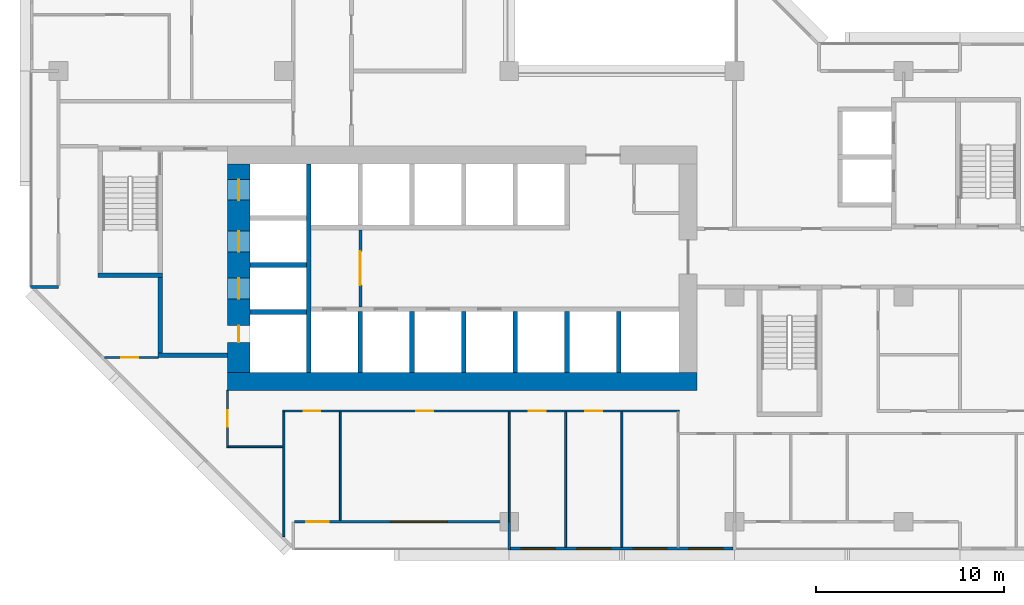
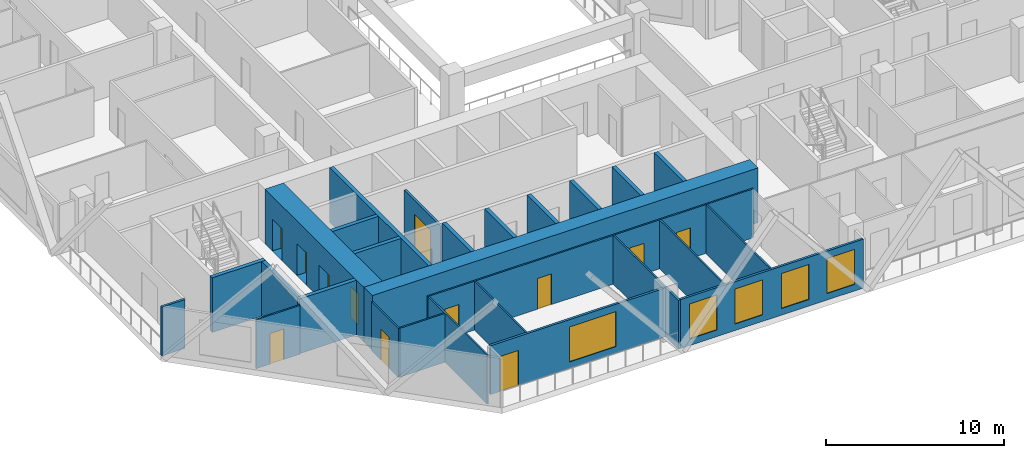
# One storey, part 4 of 16: 28 walls, 12 doors, 5 windows, 17 openings.
"""IFC4 building model written with IfcOpenShell, lengths in metres."""

from ifc_helpers import new_model, si_unit, direction, frame, frame_2d, origin, place, context, subcontext, project, spatial, rectangle, extrude, material, layer, layer_set, type_object, element, fill, save


model = new_model("IFC4")

# Units and contexts
model_context = context("Model", 3, precision=1e-05, world=origin(), true_north=direction((0.0, 1.0)))
body_context = subcontext(model_context, "Body", "Model", "MODEL_VIEW")
ifc_project = project(units=[si_unit("LENGTHUNIT", "METRE"), si_unit("AREAUNIT", "SQUARE_METRE"), si_unit("VOLUMEUNIT", "CUBIC_METRE"), si_unit("PLANEANGLEUNIT", "RADIAN"), si_unit("MASSUNIT", "GRAM", prefix="KILO")], contexts=[model_context])

# Site, building, storey
site_placement = place(None, origin())
site = spatial("IfcSite", under=ifc_project, at=site_placement, CompositionType="ELEMENT")
building_placement = place(site_placement, origin())
building = spatial("IfcBuilding", under=site, at=building_placement, Name="Chenar Terraces", CompositionType="ELEMENT")
storey_placement = place(building_placement, frame((0.0, 0.0, 99.39990234375)))
storey = spatial("IfcBuildingStorey", under=building, at=storey_placement, Name="L22", CompositionType="ELEMENT", Elevation=99.39990234375)

# Wall, opening, door
ifc_material_1 = material(Name="Gypsum board on steel studs", Category="steel")
ifc_layer_1 = layer(ifc_material_1, 0.14990234375)
ifc_layer_set_1 = layer_set([ifc_layer_1], Name="Gypsum board on steel studs")
wall_type_1 = type_object("IfcWallType", Name="Core partition 150 gypsum board", PredefinedType="PARTITIONING", material=ifc_layer_set_1)
wall_1_placement = place(storey_placement, frame((16.074951171875, 11.449951171875, 0.0), z_axis=(0.0, 0.0, 1.0), x_axis=(0.0, 1.0, 0.0)))
wall_1 = element("IfcWall", 1, at=wall_1_placement, inside=storey, type_object=wall_type_1, Name="Core partition CP1 lift lobby smoke stop", PredefinedType="PARTITIONING", context=body_context, shape_type="SweptSolid", body=[
    extrude(rectangle(XDim=4.10009765625, YDim=0.14990234375, at=frame_2d((2.050048828125, 0.0))), origin(), (0.0, 0.0, 1.0), 3.35009765625),
])
opening_1_placement = place(wall_1_placement, frame((1.14990234375, 0.0, 0.0)))
opening_1 = element("IfcOpeningElement", 2, at=opening_1_placement, cuts=wall_1, Name="Opening DL22-C12", PredefinedType="OPENING", context=body_context, shape_type="SweptSolid", body=[
    extrude(rectangle(XDim=1.800048828125, YDim=2.39990234375, at=frame_2d((0.89990234375, 1.199951171875))), frame((0.0, 0.0849609375, 0.0), z_axis=(0.0, -1.0, 0.0), x_axis=(1.0, 0.0, 0.0)), (0.0, 0.0, 1.0), 0.169921875),
])
ifc_material_2 = material(Name="Steel-framed fire-resisting door leaf", Category="steel")
door_type_1 = type_object("IfcDoorType", Name="Core entrance double fire door FD60 1800 x 2400", OperationType="DOUBLE_DOOR_SINGLE_SWING", PredefinedType="DOOR", material=ifc_material_2)
door_1_placement = place(opening_1_placement, origin())
door_1 = element("IfcDoor", 3, at=door_1_placement, inside=storey, type_object=door_type_1, Name="Core door DL22-C12", OperationType="DOUBLE_DOOR_SINGLE_SWING", OverallHeight=2.39990234375, OverallWidth=1.800048828125, PredefinedType="DOOR", context=body_context, shape_type="SweptSolid", body=[
    extrude(rectangle(XDim=1.800048828125, YDim=2.39990234375, at=frame_2d((0.89990234375, 1.199951171875))), frame((0.0, 0.02490234375, 0.0), z_axis=(0.0, -1.0, 0.0), x_axis=(1.0, 0.0, 0.0)), (0.0, 0.0, 1.0), 0.050048828125),
])
fill(opening_1, door_1)

# Wall, openings, doors
ifc_material_3 = material(Name="Concrete C70/85", Category="concrete")
ifc_layer_2 = layer(ifc_material_3, 1.199951171875)
ifc_layer_set_2 = layer_set([ifc_layer_2], Name="Concrete C70/85")
wall_type_2 = type_object("IfcWallType", Name="Core wall 1200 Concrete C70/85", PredefinedType="SHEAR", material=ifc_layer_set_2)
wall_2_placement = place(storey_placement, frame((9.60009765625, 7.949951171875, 0.0), z_axis=(0.0, 0.0, 1.0), x_axis=(0.0, 1.0, 0.0)))
wall_2 = element("IfcWall", 4, at=wall_2_placement, inside=storey, type_object=wall_type_2, Name="Core wall W L22", PredefinedType="SHEAR", context=body_context, shape_type="SweptSolid", body=[
    extrude(rectangle(XDim=11.10009765625, YDim=1.199951171875, at=frame_2d((5.550048828125, 0.0))), origin(), (0.0, 0.0, 1.0), 3.75),
])
opening_2_placement = place(wall_2_placement, frame((3.925048828125, 0.0, 0.0)))
opening_2 = element("IfcOpeningElement", 5, at=opening_2_placement, cuts=wall_2, Name="Opening DL22-LD5", PredefinedType="OPENING", context=body_context, shape_type="SweptSolid", body=[
    extrude(rectangle(XDim=1.10009765625, YDim=2.199951171875, at=frame_2d((0.550048828125, 1.10009765625))), frame((0.0, 0.60986328125, 0.0), z_axis=(0.0, -1.0, 0.0), x_axis=(1.0, 0.0, 0.0)), (0.0, 0.0, 1.0), 1.219970703125),
])
opening_3_placement = place(wall_2_placement, frame((6.425048828125, 0.0, 0.0)))
opening_3 = element("IfcOpeningElement", 6, at=opening_3_placement, cuts=wall_2, Name="Opening DL22-LD6", PredefinedType="OPENING", context=body_context, shape_type="SweptSolid", body=[
    extrude(rectangle(XDim=1.10009765625, YDim=2.199951171875, at=frame_2d((0.550048828125, 1.10009765625))), frame((0.0, 0.60986328125, 0.0), z_axis=(0.0, -1.0, 0.0), x_axis=(1.0, 0.0, 0.0)), (0.0, 0.0, 1.0), 1.219970703125),
])
opening_4_placement = place(wall_2_placement, frame((9.175048828125, 0.0, 0.0)))
opening_4 = element("IfcOpeningElement", 7, at=opening_4_placement, cuts=wall_2, Name="Opening DL22-LD7", PredefinedType="OPENING", context=body_context, shape_type="SweptSolid", body=[
    extrude(rectangle(XDim=1.10009765625, YDim=2.199951171875, at=frame_2d((0.550048828125, 1.10009765625))), frame((0.0, 0.60986328125, 0.0), z_axis=(0.0, -1.0, 0.0), x_axis=(1.0, 0.0, 0.0)), (0.0, 0.0, 1.0), 1.219970703125),
])
opening_5_placement = place(wall_2_placement, frame((1.60009765625, 0.0, 0.0)))
opening_5 = element("IfcOpeningElement", 8, at=opening_5_placement, cuts=wall_2, Name="Opening DL22-C4", PredefinedType="OPENING", context=body_context, shape_type="SweptSolid", body=[
    extrude(rectangle(XDim=0.89990234375, YDim=2.10009765625, at=frame_2d((0.449951171875, 1.050048828125))), frame((0.0, 0.60986328125, 0.0), z_axis=(0.0, -1.0, 0.0), x_axis=(1.0, 0.0, 0.0)), (0.0, 0.0, 1.0), 1.219970703125),
])
ifc_material_4 = material(Name="Stainless steel", Category="steel")
door_type_2 = type_object("IfcDoorType", Name="Lift landing door 1100 x 2200 sliding", OperationType="DOUBLE_DOOR_SLIDING", PredefinedType="DOOR", material=ifc_material_4)
door_2_placement = place(opening_2_placement, origin())
door_2 = element("IfcDoor", 9, at=door_2_placement, inside=storey, type_object=door_type_2, Name="Landing door S1", OperationType="DOUBLE_DOOR_SLIDING", OverallHeight=2.199951171875, OverallWidth=1.10009765625, PredefinedType="DOOR", context=body_context, shape_type="SweptSolid", body=[
    extrude(rectangle(XDim=1.10009765625, YDim=2.199951171875, at=frame_2d((0.550048828125, 1.10009765625))), frame((0.0, 0.02490234375, 0.0), z_axis=(0.0, -1.0, 0.0), x_axis=(1.0, 0.0, 0.0)), (0.0, 0.0, 1.0), 0.050048828125),
])
fill(opening_2, door_2)
door_3_placement = place(opening_3_placement, origin())
door_3 = element("IfcDoor", 10, at=door_3_placement, inside=storey, type_object=door_type_2, Name="Landing door F1", OperationType="DOUBLE_DOOR_SLIDING", OverallHeight=2.199951171875, OverallWidth=1.10009765625, PredefinedType="DOOR", context=body_context, shape_type="SweptSolid", body=[
    extrude(rectangle(XDim=1.10009765625, YDim=2.199951171875, at=frame_2d((0.550048828125, 1.10009765625))), frame((0.0, 0.02490234375, 0.0), z_axis=(0.0, -1.0, 0.0), x_axis=(1.0, 0.0, 0.0)), (0.0, 0.0, 1.0), 0.050048828125),
])
fill(opening_3, door_3)
door_4_placement = place(opening_4_placement, origin())
door_4 = element("IfcDoor", 11, at=door_4_placement, inside=storey, type_object=door_type_2, Name="Landing door F2", OperationType="DOUBLE_DOOR_SLIDING", OverallHeight=2.199951171875, OverallWidth=1.10009765625, PredefinedType="DOOR", context=body_context, shape_type="SweptSolid", body=[
    extrude(rectangle(XDim=1.10009765625, YDim=2.199951171875, at=frame_2d((0.550048828125, 1.10009765625))), frame((0.0, 0.02490234375, 0.0), z_axis=(0.0, -1.0, 0.0), x_axis=(1.0, 0.0, 0.0)), (0.0, 0.0, 1.0), 0.050048828125),
])
fill(opening_4, door_4)
ifc_material_5 = material(Name="Steel-framed fire-resisting door leaf", Category="steel")
door_type_3 = type_object("IfcDoorType", Name="Riser fire door FD60 900 x 2100", OperationType="SINGLE_SWING_LEFT", PredefinedType="DOOR", material=ifc_material_5)
door_5_placement = place(opening_5_placement, frame((0.89990234375, 0.0, 0.0), z_axis=(0.0, 0.0, 1.0), x_axis=(-1.0, 0.0, 0.0)))
door_5 = element("IfcDoor", 12, at=door_5_placement, inside=storey, type_object=door_type_3, Name="Riser door DL22-C4", OperationType="SINGLE_SWING_LEFT", OverallHeight=2.10009765625, OverallWidth=0.89990234375, PredefinedType="DOOR", context=body_context, shape_type="SweptSolid", body=[
    extrude(rectangle(XDim=0.89990234375, YDim=2.10009765625, at=frame_2d((0.449951171875, 1.050048828125))), frame((0.0, 0.02490234375, 0.0), z_axis=(0.0, -1.0, 0.0), x_axis=(1.0, 0.0, 0.0)), (0.0, 0.0, 1.0), 0.050048828125),
])
fill(opening_5, door_5)

# Walls
ifc_material_6 = material(Name="Concrete C70/85", Category="concrete")
ifc_layer_3 = layer(ifc_material_6, 0.25)
ifc_layer_set_3 = layer_set([ifc_layer_3], Name="Concrete C70/85")
wall_type_3 = type_object("IfcWallType", Name="Core wall 250 Concrete C70/85", PredefinedType="SHEAR", material=ifc_layer_set_3)
wall_3_placement = place(storey_placement, frame((13.324951171875, 7.949951171875, 0.0), z_axis=(0.0, 0.0, 1.0), x_axis=(0.0, 1.0, 0.0)))
element("IfcWall", 13, at=wall_3_placement, inside=storey, type_object=wall_type_3, Name="Core wall WI L22", PredefinedType="SHEAR", context=body_context, shape_type="SweptSolid", body=[
    extrude(rectangle(XDim=11.10009765625, YDim=0.25, at=frame_2d((5.550048828125, 0.0))), origin(), (0.0, 0.0, 1.0), 3.75),
])
for number, where, z_axis, x_axis, name in (
    (14, (10.199951171875, 11.175048828125, 0.0), (0.0, 0.0, 1.0), (1.0, 0.0, 0.0), "Core wall HW0 L22"),
    (15, (10.199951171875, 13.675048828125, 0.0), (0.0, 0.0, 1.0), (1.0, 0.0, 0.0), "Core wall HW1 L22"),
):
    element("IfcWall", number, at=place(storey_placement, frame(where, z_axis=z_axis, x_axis=x_axis)), inside=storey, type_object=wall_type_3, Name=name, PredefinedType="SHEAR", context=body_context, shape_type="SweptSolid", body=[
        extrude(rectangle(XDim=3.0, YDim=0.25, at=frame_2d((1.5, 0.0))), origin(), (0.0, 0.0, 1.0), 3.75),
    ])
for number, where, z_axis, x_axis, name in (
    (16, (16.074951171875, 7.949951171875, 0.0), (0.0, 0.0, 1.0), (0.0, 1.0, 0.0), "Core wall SS0 L22"),
    (17, (18.824951171875, 7.949951171875, 0.0), (0.0, 0.0, 1.0), (0.0, 1.0, 0.0), "Core wall SS1 L22"),
    (18, (21.574951171875, 7.949951171875, 0.0), (0.0, 0.0, 1.0), (0.0, 1.0, 0.0), "Core wall SS2 L22"),
    (19, (24.324951171875, 7.949951171875, 0.0), (0.0, 0.0, 1.0), (0.0, 1.0, 0.0), "Core wall SS3 L22"),
    (20, (27.074951171875, 7.949951171875, 0.0), (0.0, 0.0, 1.0), (0.0, 1.0, 0.0), "Core wall SS4 L22"),
    (21, (29.824951171875, 7.949951171875, 0.0), (0.0, 0.0, 1.0), (0.0, 1.0, 0.0), "Core wall SS5 L22"),
):
    element("IfcWall", number, at=place(storey_placement, frame(where, z_axis=z_axis, x_axis=x_axis)), inside=storey, type_object=wall_type_3, Name=name, PredefinedType="SHEAR", context=body_context, shape_type="SweptSolid", body=[
        extrude(rectangle(XDim=3.25, YDim=0.25, at=frame_2d((1.625, 0.0))), origin(), (0.0, 0.0, 1.0), 3.75),
    ])
wall_4_placement = place(storey_placement, frame((2.10009765625, 13.125, 0.0), z_axis=(0.0, 0.0, 1.0), x_axis=(1.0, 0.0, 0.0)))
element("IfcWall", 22, at=wall_4_placement, inside=storey, type_object=wall_type_3, Name="Core wall ST1_S L22", PredefinedType="SHEAR", context=body_context, shape_type="SweptSolid", body=[
    extrude(rectangle(XDim=3.449951171875, YDim=0.25, at=frame_2d((1.72509765625, 0.0))), origin(), (0.0, 0.0, 1.0), 3.75),
])
wall_5_placement = place(storey_placement, frame((5.300048828125, 8.875, 0.0), z_axis=(0.0, 0.0, 1.0), x_axis=(1.0, 0.0, 0.0)))
element("IfcWall", 23, at=wall_5_placement, inside=storey, type_object=wall_type_3, Name="Core wall FFL_S L22", PredefinedType="SHEAR", context=body_context, shape_type="SweptSolid", body=[
    extrude(rectangle(XDim=3.699951171875, YDim=0.25, at=frame_2d((1.85009765625, 0.0))), origin(), (0.0, 0.0, 1.0), 3.75),
])
wall_6_placement = place(storey_placement, frame((5.425048828125, 9.0, 0.0), z_axis=(0.0, 0.0, 1.0), x_axis=(0.0, 1.0, 0.0)))
element("IfcWall", 24, at=wall_6_placement, inside=storey, type_object=wall_type_3, Name="Core wall FFL_W L22", PredefinedType="SHEAR", context=body_context, shape_type="SweptSolid", body=[
    extrude(rectangle(XDim=4.0, YDim=0.25, at=frame_2d((2.0, 0.0))), origin(), (0.0, 0.0, 1.0), 3.75),
])
ifc_material_7 = material(Name="Concrete C70/85", Category="concrete")
ifc_layer_4 = layer(ifc_material_7, 0.949951171875)
ifc_layer_set_4 = layer_set([ifc_layer_4], Name="Concrete C70/85")
wall_type_4 = type_object("IfcWallType", Name="Core wall 950 Concrete C70/85", PredefinedType="SHEAR", material=ifc_layer_set_4)
wall_7_placement = place(storey_placement, frame((9.0, 7.47509765625, 0.0), z_axis=(0.0, 0.0, 1.0), x_axis=(1.0, 0.0, 0.0)))
element("IfcWall", 25, at=wall_7_placement, inside=storey, type_object=wall_type_4, Name="Core wall S L22", PredefinedType="SHEAR", context=body_context, shape_type="SweptSolid", body=[
    extrude(rectangle(XDim=25.0, YDim=0.949951171875, at=frame_2d((12.5, 0.0))), origin(), (0.0, 0.0, 1.0), 3.75),
])

# Wall, openings, windows
ifc_material_8 = material(Name="Aluminium framed glazing", Category="aluminium")
ifc_layer_5 = layer(ifc_material_8, 0.14990234375)
ifc_layer_set_5 = layer_set([ifc_layer_5], Name="Aluminium framed glazing")
wall_type_5 = type_object("IfcWallType", Name="Glazed flush facade wall 150", PredefinedType="SOLIDWALL", material=ifc_layer_set_5)
wall_8_placement = place(storey_placement, frame((24.074951171875, -1.425048828125, 0.0), z_axis=(0.0, 0.0, 1.0), x_axis=(1.0, 0.0, 0.0)))
wall_8 = element("IfcWall", 26, at=wall_8_placement, inside=storey, type_object=wall_type_5, Name="Glazed flush facade wall", PredefinedType="SOLIDWALL", context=body_context, shape_type="SweptSolid", body=[
    extrude(rectangle(XDim=11.85009765625, YDim=0.14990234375, at=frame_2d((5.925048828125, 0.0))), origin(), (0.0, 0.0, 1.0), 3.35009765625),
])
opening_6_placement = place(wall_8_placement, frame((0.5625, 0.0, 0.449951171875)))
opening_6 = element("IfcOpeningElement", 27, at=opening_6_placement, cuts=wall_8, Name="Opening W180x240", PredefinedType="OPENING", context=body_context, shape_type="SweptSolid", body=[
    extrude(rectangle(XDim=1.800048828125, YDim=2.39990234375, at=frame_2d((0.89990234375, 1.199951171875))), frame((0.0, 0.0849609375, 0.0), z_axis=(0.0, -1.0, 0.0), x_axis=(1.0, 0.0, 0.0)), (0.0, 0.0, 1.0), 0.169921875),
])
opening_7_placement = place(wall_8_placement, frame((3.52490234375, 0.0, 0.449951171875)))
opening_7 = element("IfcOpeningElement", 28, at=opening_7_placement, cuts=wall_8, Name="Opening W180x240", PredefinedType="OPENING", context=body_context, shape_type="SweptSolid", body=[
    extrude(rectangle(XDim=1.800048828125, YDim=2.39990234375, at=frame_2d((0.89990234375, 1.199951171875))), frame((0.0, 0.0849609375, 0.0), z_axis=(0.0, -1.0, 0.0), x_axis=(1.0, 0.0, 0.0)), (0.0, 0.0, 1.0), 0.169921875),
])
opening_8_placement = place(wall_8_placement, frame((6.52490234375, 0.0, 0.449951171875)))
opening_8 = element("IfcOpeningElement", 29, at=opening_8_placement, cuts=wall_8, Name="Opening W180x240", PredefinedType="OPENING", context=body_context, shape_type="SweptSolid", body=[
    extrude(rectangle(XDim=1.800048828125, YDim=2.39990234375, at=frame_2d((0.89990234375, 1.199951171875))), frame((0.0, 0.0849609375, 0.0), z_axis=(0.0, -1.0, 0.0), x_axis=(1.0, 0.0, 0.0)), (0.0, 0.0, 1.0), 0.169921875),
])
opening_9_placement = place(wall_8_placement, frame((9.487548828125, 0.0, 0.449951171875)))
opening_9 = element("IfcOpeningElement", 30, at=opening_9_placement, cuts=wall_8, Name="Opening W180x240", PredefinedType="OPENING", context=body_context, shape_type="SweptSolid", body=[
    extrude(rectangle(XDim=1.800048828125, YDim=2.39990234375, at=frame_2d((0.89990234375, 1.199951171875))), frame((0.0, 0.0849609375, 0.0), z_axis=(0.0, -1.0, 0.0), x_axis=(1.0, 0.0, 0.0)), (0.0, 0.0, 1.0), 0.169921875),
])
ifc_material_9 = material(Name="Low emissivity double glazing, aluminium frame", Category="aluminium")
window_type_1 = type_object("IfcWindowType", Name="Fixed light 1800 x 2400", PartitioningType="SINGLE_PANEL", PredefinedType="WINDOW", material=ifc_material_9)
window_1_placement = place(opening_6_placement, origin())
window_1 = element("IfcWindow", 31, at=window_1_placement, inside=storey, type_object=window_type_1, Name="Window", OverallHeight=2.39990234375, OverallWidth=1.800048828125, PartitioningType="SINGLE_PANEL", PredefinedType="WINDOW", context=body_context, shape_type="SweptSolid", body=[
    extrude(rectangle(XDim=1.800048828125, YDim=2.39990234375, at=frame_2d((0.89990234375, 1.199951171875))), frame((0.0, 0.030029296875, 0.0), z_axis=(0.0, -1.0, 0.0), x_axis=(1.0, 0.0, 0.0)), (0.0, 0.0, 1.0), 0.06005859375),
])
fill(opening_6, window_1)
window_2_placement = place(opening_7_placement, origin())
window_2 = element("IfcWindow", 32, at=window_2_placement, inside=storey, type_object=window_type_1, Name="Window", OverallHeight=2.39990234375, OverallWidth=1.800048828125, PartitioningType="SINGLE_PANEL", PredefinedType="WINDOW", context=body_context, shape_type="SweptSolid", body=[
    extrude(rectangle(XDim=1.800048828125, YDim=2.39990234375, at=frame_2d((0.89990234375, 1.199951171875))), frame((0.0, 0.030029296875, 0.0), z_axis=(0.0, -1.0, 0.0), x_axis=(1.0, 0.0, 0.0)), (0.0, 0.0, 1.0), 0.06005859375),
])
fill(opening_7, window_2)
window_3_placement = place(opening_8_placement, origin())
window_3 = element("IfcWindow", 33, at=window_3_placement, inside=storey, type_object=window_type_1, Name="Window", OverallHeight=2.39990234375, OverallWidth=1.800048828125, PartitioningType="SINGLE_PANEL", PredefinedType="WINDOW", context=body_context, shape_type="SweptSolid", body=[
    extrude(rectangle(XDim=1.800048828125, YDim=2.39990234375, at=frame_2d((0.89990234375, 1.199951171875))), frame((0.0, 0.030029296875, 0.0), z_axis=(0.0, -1.0, 0.0), x_axis=(1.0, 0.0, 0.0)), (0.0, 0.0, 1.0), 0.06005859375),
])
fill(opening_8, window_3)
window_4_placement = place(opening_9_placement, origin())
window_4 = element("IfcWindow", 34, at=window_4_placement, inside=storey, type_object=window_type_1, Name="Window", OverallHeight=2.39990234375, OverallWidth=1.800048828125, PartitioningType="SINGLE_PANEL", PredefinedType="WINDOW", context=body_context, shape_type="SweptSolid", body=[
    extrude(rectangle(XDim=1.800048828125, YDim=2.39990234375, at=frame_2d((0.89990234375, 1.199951171875))), frame((0.0, 0.030029296875, 0.0), z_axis=(0.0, -1.0, 0.0), x_axis=(1.0, 0.0, 0.0)), (0.0, 0.0, 1.0), 0.06005859375),
])
fill(opening_9, window_4)

# Wall, openings, window, door
ifc_material_10 = material(Name="Aluminium framed glazing", Category="aluminium")
ifc_layer_6 = layer(ifc_material_10, 0.14990234375)
ifc_layer_set_6 = layer_set([ifc_layer_6], Name="Aluminium framed glazing")
wall_type_6 = type_object("IfcWallType", Name="Glazed loggia back wall 150", PredefinedType="SOLIDWALL", material=ifc_layer_set_6)
wall_9_placement = place(storey_placement, frame((12.574951171875, 0.0, 0.0), z_axis=(0.0, 0.0, 1.0), x_axis=(1.0, 0.0, 0.0)))
wall_9 = element("IfcWall", 35, at=wall_9_placement, inside=storey, type_object=wall_type_6, Name="Glazed loggia back wall", PredefinedType="SOLIDWALL", context=body_context, shape_type="SweptSolid", body=[
    extrude(rectangle(XDim=11.35009765625, YDim=0.14990234375, at=frame_2d((5.675048828125, 0.0))), origin(), (0.0, 0.0, 1.0), 3.35009765625),
])
opening_10_placement = place(wall_9_placement, frame((0.612548828125, 0.0, 0.0)))
opening_10 = element("IfcOpeningElement", 36, at=opening_10_placement, cuts=wall_9, Name="Opening DL22-G6", PredefinedType="OPENING", context=body_context, shape_type="SweptSolid", body=[
    extrude(rectangle(XDim=1.199951171875, YDim=2.39990234375, at=frame_2d((0.60009765625, 1.199951171875))), frame((0.0, 0.0849609375, 0.0), z_axis=(0.0, -1.0, 0.0), x_axis=(1.0, 0.0, 0.0)), (0.0, 0.0, 1.0), 0.169921875),
])
opening_11_placement = place(wall_9_placement, frame((5.125, 0.0, 0.449951171875)))
opening_11 = element("IfcOpeningElement", 37, at=opening_11_placement, cuts=wall_9, Name="Opening W300x240", PredefinedType="OPENING", context=body_context, shape_type="SweptSolid", body=[
    extrude(rectangle(XDim=3.0, YDim=2.39990234375, at=frame_2d((1.5, 1.199951171875))), frame((0.0, 0.0849609375, 0.0), z_axis=(0.0, -1.0, 0.0), x_axis=(1.0, 0.0, 0.0)), (0.0, 0.0, 1.0), 0.169921875),
])
ifc_material_11 = material(Name="Low emissivity double glazing, aluminium frame", Category="aluminium")
window_type_2 = type_object("IfcWindowType", Name="Fixed light 3000 x 2400", PartitioningType="SINGLE_PANEL", PredefinedType="WINDOW", material=ifc_material_11)
window_5_placement = place(opening_11_placement, origin())
window_5 = element("IfcWindow", 38, at=window_5_placement, inside=storey, type_object=window_type_2, Name="Window", OverallHeight=2.39990234375, OverallWidth=3.0, PartitioningType="SINGLE_PANEL", PredefinedType="WINDOW", context=body_context, shape_type="SweptSolid", body=[
    extrude(rectangle(XDim=3.0, YDim=2.39990234375, at=frame_2d((1.5, 1.199951171875))), frame((0.0, 0.030029296875, 0.0), z_axis=(0.0, -1.0, 0.0), x_axis=(1.0, 0.0, 0.0)), (0.0, 0.0, 1.0), 0.06005859375),
])
fill(opening_11, window_5)
ifc_material_12 = material(Name="Low emissivity double glazing, aluminium frame", Category="aluminium")
door_type_4 = type_object("IfcDoorType", Name="Loggia glazed double door 1200 x 2400", OperationType="DOUBLE_DOOR_SINGLE_SWING", PredefinedType="DOOR", material=ifc_material_12)
door_6_placement = place(opening_10_placement, frame((1.199951171875, 0.0, 0.0), z_axis=(0.0, 0.0, 1.0), x_axis=(-1.0, 0.0, 0.0)))
door_6 = element("IfcDoor", 39, at=door_6_placement, inside=storey, type_object=door_type_4, Name="Loggia glazed door", OperationType="DOUBLE_DOOR_SINGLE_SWING", OverallHeight=2.39990234375, OverallWidth=1.199951171875, PredefinedType="DOOR", context=body_context, shape_type="SweptSolid", body=[
    extrude(rectangle(XDim=1.199951171875, YDim=2.39990234375, at=frame_2d((0.60009765625, 1.199951171875))), frame((0.0, 0.02490234375, 0.0), z_axis=(0.0, -1.0, 0.0), x_axis=(1.0, 0.0, 0.0)), (0.0, 0.0, 1.0), 0.050048828125),
])
fill(opening_10, door_6)

# Wall, opening, door
ifc_material_13 = material(Name="Gypsum board on steel studs", Category="steel")
ifc_layer_7 = layer(ifc_material_13, 0.10009765625)
ifc_layer_set_7 = layer_set([ifc_layer_7], Name="Gypsum board on steel studs")
wall_type_7 = type_object("IfcWallType", Name="Gypsum partition 100", PredefinedType="PARTITIONING", material=ifc_layer_set_7)
wall_10_placement = place(storey_placement, frame((2.4609375, 8.75, 0.0), z_axis=(0.0, 0.0, 1.0), x_axis=(1.0, 0.0, 0.0)))
wall_10 = element("IfcWall", 40, at=wall_10_placement, inside=storey, type_object=wall_type_7, Name="Partition L22-013", PredefinedType="PARTITIONING", context=body_context, shape_type="SweptSolid", body=[
    extrude(rectangle(XDim=2.839111328125, YDim=0.10009765625, at=frame_2d((1.41943359375, 0.0))), origin(), (0.0, 0.0, 1.0), 3.35009765625),
])
opening_12_placement = place(wall_10_placement, frame((0.888916015625, 0.0, 0.0)))
opening_12 = element("IfcOpeningElement", 41, at=opening_12_placement, cuts=wall_10, Name="Opening DL22-63", PredefinedType="OPENING", context=body_context, shape_type="SweptSolid", body=[
    extrude(rectangle(XDim=0.89990234375, YDim=2.10009765625, at=frame_2d((0.449951171875, 1.050048828125))), frame((0.0, 0.06005859375, 0.0), z_axis=(0.0, -1.0, 0.0), x_axis=(1.0, 0.0, 0.0)), (0.0, 0.0, 1.0), 0.1201171875),
])
ifc_material_14 = material(Name="Veneered timber door leaf", Category="wood")
door_type_5 = type_object("IfcDoorType", Name="Door 900 x 2100", OperationType="SINGLE_SWING_LEFT", PredefinedType="DOOR", material=ifc_material_14)
door_7_placement = place(opening_12_placement, frame((0.89990234375, 0.0, 0.0), z_axis=(0.0, 0.0, 1.0), x_axis=(-1.0, 0.0, 0.0)))
door_7 = element("IfcDoor", 42, at=door_7_placement, inside=storey, type_object=door_type_5, Name="Door DL22-63", OperationType="SINGLE_SWING_RIGHT", OverallHeight=2.10009765625, OverallWidth=0.89990234375, PredefinedType="DOOR", context=body_context, shape_type="SweptSolid", body=[
    extrude(rectangle(XDim=0.89990234375, YDim=2.10009765625, at=frame_2d((0.449951171875, 1.050048828125))), frame((0.0, 0.02490234375, 0.0), z_axis=(0.0, -1.0, 0.0), x_axis=(1.0, 0.0, 0.0)), (0.0, 0.0, 1.0), 0.050048828125),
])
fill(opening_12, door_7)

wall_11_placement = place(storey_placement, frame((9.0, 3.949951171875, 0.0), z_axis=(0.0, 0.0, 1.0), x_axis=(0.0, 1.0, 0.0)))
wall_11 = element("IfcWall", 43, at=wall_11_placement, inside=storey, type_object=wall_type_7, Name="Partition L22-030", PredefinedType="PARTITIONING", context=body_context, shape_type="SweptSolid", body=[
    extrude(rectangle(XDim=3.050048828125, YDim=0.10009765625, at=frame_2d((1.52490234375, 0.0))), origin(), (0.0, 0.0, 1.0), 3.35009765625),
])
opening_13_placement = place(wall_11_placement, frame((1.10009765625, 0.0, 0.0)))
opening_13 = element("IfcOpeningElement", 44, at=opening_13_placement, cuts=wall_11, Name="Opening DL22-62", PredefinedType="OPENING", context=body_context, shape_type="SweptSolid", body=[
    extrude(rectangle(XDim=0.89990234375, YDim=2.10009765625, at=frame_2d((0.449951171875, 1.050048828125))), frame((0.0, 0.06005859375, 0.0), z_axis=(0.0, -1.0, 0.0), x_axis=(1.0, 0.0, 0.0)), (0.0, 0.0, 1.0), 0.1201171875),
])
door_8_placement = place(opening_13_placement, origin())
door_8 = element("IfcDoor", 45, at=door_8_placement, inside=storey, type_object=door_type_5, Name="Door DL22-62", OperationType="SINGLE_SWING_LEFT", OverallHeight=2.10009765625, OverallWidth=0.89990234375, PredefinedType="DOOR", context=body_context, shape_type="SweptSolid", body=[
    extrude(rectangle(XDim=0.89990234375, YDim=2.10009765625, at=frame_2d((0.449951171875, 1.050048828125))), frame((0.0, 0.02490234375, 0.0), z_axis=(0.0, -1.0, 0.0), x_axis=(1.0, 0.0, 0.0)), (0.0, 0.0, 1.0), 0.050048828125),
])
fill(opening_13, door_8)

# Wall
wall_12_placement = place(storey_placement, frame((9.050048828125, 4.0, 0.0), z_axis=(0.0, 0.0, 1.0), x_axis=(1.0, 0.0, 0.0)))
element("IfcWall", 46, at=wall_12_placement, inside=storey, type_object=wall_type_7, Name="Partition L22-031", PredefinedType="PARTITIONING", context=body_context, shape_type="SweptSolid", body=[
    extrude(rectangle(XDim=2.89990234375, YDim=0.10009765625, at=frame_2d((1.449951171875, 0.0))), origin(), (0.0, 0.0, 1.0), 3.35009765625),
])

# Wall, openings, doors
wall_13_placement = place(storey_placement, frame((11.949951171875, 5.89990234375, 0.0), z_axis=(0.0, 0.0, 1.0), x_axis=(1.0, 0.0, 0.0)))
wall_13 = element("IfcWall", 47, at=wall_13_placement, inside=storey, type_object=wall_type_7, Name="Partition L22-032", PredefinedType="PARTITIONING", context=body_context, shape_type="SweptSolid", body=[
    extrude(rectangle(XDim=21.10009765625, YDim=0.10009765625, at=frame_2d((10.550048828125, 0.0))), origin(), (0.0, 0.0, 1.0), 3.35009765625),
])
opening_14_placement = place(wall_13_placement, frame((1.10009765625, 0.0, 0.0)))
opening_14 = element("IfcOpeningElement", 48, at=opening_14_placement, cuts=wall_13, Name="Opening DL22-54", PredefinedType="OPENING", context=body_context, shape_type="SweptSolid", body=[
    extrude(rectangle(XDim=0.89990234375, YDim=2.10009765625, at=frame_2d((0.449951171875, 1.050048828125))), frame((0.0, 0.06005859375, 0.0), z_axis=(0.0, -1.0, 0.0), x_axis=(1.0, 0.0, 0.0)), (0.0, 0.0, 1.0), 0.1201171875),
])
opening_15_placement = place(wall_13_placement, frame((13.10009765625, 0.0, 0.0)))
opening_15 = element("IfcOpeningElement", 49, at=opening_15_placement, cuts=wall_13, Name="Opening DL22-55", PredefinedType="OPENING", context=body_context, shape_type="SweptSolid", body=[
    extrude(rectangle(XDim=0.89990234375, YDim=2.10009765625, at=frame_2d((0.449951171875, 1.050048828125))), frame((0.0, 0.06005859375, 0.0), z_axis=(0.0, -1.0, 0.0), x_axis=(1.0, 0.0, 0.0)), (0.0, 0.0, 1.0), 0.1201171875),
])
opening_16_placement = place(wall_13_placement, frame((16.10009765625, 0.0, 0.0)))
opening_16 = element("IfcOpeningElement", 50, at=opening_16_placement, cuts=wall_13, Name="Opening DL22-56", PredefinedType="OPENING", context=body_context, shape_type="SweptSolid", body=[
    extrude(rectangle(XDim=0.89990234375, YDim=2.10009765625, at=frame_2d((0.449951171875, 1.050048828125))), frame((0.0, 0.06005859375, 0.0), z_axis=(0.0, -1.0, 0.0), x_axis=(1.0, 0.0, 0.0)), (0.0, 0.0, 1.0), 0.1201171875),
])
opening_17_placement = place(wall_13_placement, frame((7.10009765625, 0.0, 0.0)))
opening_17 = element("IfcOpeningElement", 51, at=opening_17_placement, cuts=wall_13, Name="Opening DL22-66", PredefinedType="OPENING", context=body_context, shape_type="SweptSolid", body=[
    extrude(rectangle(XDim=0.89990234375, YDim=2.10009765625, at=frame_2d((0.449951171875, 1.050048828125))), frame((0.0, 0.06005859375, 0.0), z_axis=(0.0, -1.0, 0.0), x_axis=(1.0, 0.0, 0.0)), (0.0, 0.0, 1.0), 0.1201171875),
])
door_9_placement = place(opening_14_placement, frame((0.89990234375, 0.0, 0.0), z_axis=(0.0, 0.0, 1.0), x_axis=(-1.0, 0.0, 0.0)))
door_9 = element("IfcDoor", 52, at=door_9_placement, inside=storey, type_object=door_type_5, Name="Door DL22-54", OperationType="SINGLE_SWING_RIGHT", OverallHeight=2.10009765625, OverallWidth=0.89990234375, PredefinedType="DOOR", context=body_context, shape_type="SweptSolid", body=[
    extrude(rectangle(XDim=0.89990234375, YDim=2.10009765625, at=frame_2d((0.449951171875, 1.050048828125))), frame((0.0, 0.02490234375, 0.0), z_axis=(0.0, -1.0, 0.0), x_axis=(1.0, 0.0, 0.0)), (0.0, 0.0, 1.0), 0.050048828125),
])
fill(opening_14, door_9)
door_10_placement = place(opening_15_placement, frame((0.89990234375, 0.0, 0.0), z_axis=(0.0, 0.0, 1.0), x_axis=(-1.0, 0.0, 0.0)))
door_10 = element("IfcDoor", 53, at=door_10_placement, inside=storey, type_object=door_type_5, Name="Door DL22-55", OperationType="SINGLE_SWING_RIGHT", OverallHeight=2.10009765625, OverallWidth=0.89990234375, PredefinedType="DOOR", context=body_context, shape_type="SweptSolid", body=[
    extrude(rectangle(XDim=0.89990234375, YDim=2.10009765625, at=frame_2d((0.449951171875, 1.050048828125))), frame((0.0, 0.02490234375, 0.0), z_axis=(0.0, -1.0, 0.0), x_axis=(1.0, 0.0, 0.0)), (0.0, 0.0, 1.0), 0.050048828125),
])
fill(opening_15, door_10)
door_11_placement = place(opening_16_placement, frame((0.89990234375, 0.0, 0.0), z_axis=(0.0, 0.0, 1.0), x_axis=(-1.0, 0.0, 0.0)))
door_11 = element("IfcDoor", 54, at=door_11_placement, inside=storey, type_object=door_type_5, Name="Door DL22-56", OperationType="SINGLE_SWING_RIGHT", OverallHeight=2.10009765625, OverallWidth=0.89990234375, PredefinedType="DOOR", context=body_context, shape_type="SweptSolid", body=[
    extrude(rectangle(XDim=0.89990234375, YDim=2.10009765625, at=frame_2d((0.449951171875, 1.050048828125))), frame((0.0, 0.02490234375, 0.0), z_axis=(0.0, -1.0, 0.0), x_axis=(1.0, 0.0, 0.0)), (0.0, 0.0, 1.0), 0.050048828125),
])
fill(opening_16, door_11)
door_12_placement = place(opening_17_placement, frame((0.89990234375, 0.0, 0.0), z_axis=(0.0, 0.0, 1.0), x_axis=(-1.0, 0.0, 0.0)))
door_12 = element("IfcDoor", 55, at=door_12_placement, inside=storey, type_object=door_type_5, Name="Door DL22-66", OperationType="SINGLE_SWING_RIGHT", OverallHeight=2.10009765625, OverallWidth=0.89990234375, PredefinedType="DOOR", context=body_context, shape_type="SweptSolid", body=[
    extrude(rectangle(XDim=0.89990234375, YDim=2.10009765625, at=frame_2d((0.449951171875, 1.050048828125))), frame((0.0, 0.02490234375, 0.0), z_axis=(0.0, -1.0, 0.0), x_axis=(1.0, 0.0, 0.0)), (0.0, 0.0, 1.0), 0.050048828125),
])
fill(opening_17, door_12)

# Walls
wall_14_placement = place(storey_placement, frame((12.0, -0.787841796875, 0.0), z_axis=(0.0, 0.0, 1.0), x_axis=(0.0, 1.0, 0.0)))
element("IfcWall", 56, at=wall_14_placement, inside=storey, type_object=wall_type_7, Name="Partition L22-033", PredefinedType="PARTITIONING", context=body_context, shape_type="SweptSolid", body=[
    extrude(rectangle(XDim=6.637939453125, YDim=0.10009765625, at=frame_2d((3.31884765625, 0.0))), origin(), (0.0, 0.0, 1.0), 3.35009765625),
])
wall_15_placement = place(storey_placement, frame((15.0, 0.073974609375, 0.0), z_axis=(0.0, 0.0, 1.0), x_axis=(0.0, 1.0, 0.0)))
element("IfcWall", 57, at=wall_15_placement, inside=storey, type_object=wall_type_7, Name="Partition L22-035", PredefinedType="PARTITIONING", context=body_context, shape_type="SweptSolid", body=[
    extrude(rectangle(XDim=5.776123046875, YDim=0.10009765625, at=frame_2d((2.88818359375, 0.0))), origin(), (0.0, 0.0, 1.0), 3.35009765625),
])
wall_16_placement = place(storey_placement, frame((24.0, 0.0, 0.0), z_axis=(0.0, 0.0, 1.0), x_axis=(0.0, 1.0, 0.0)))
element("IfcWall", 58, at=wall_16_placement, inside=storey, type_object=wall_type_7, Name="Partition L22-056", PredefinedType="PARTITIONING", context=body_context, shape_type="SweptSolid", body=[
    extrude(rectangle(XDim=5.85009765625, YDim=0.10009765625, at=frame_2d((2.925048828125, 0.0))), origin(), (0.0, 0.0, 1.0), 3.35009765625),
])
for number, where, z_axis, x_axis, name in (
    (59, (27.0, -1.35107421875, 0.0), (0.0, 0.0, 1.0), (0.0, 1.0, 0.0), "Partition L22-057"),
    (60, (30.0, -1.35107421875, 0.0), (0.0, 0.0, 1.0), (0.0, 1.0, 0.0), "Partition L22-058"),
):
    element("IfcWall", number, at=place(storey_placement, frame(where, z_axis=z_axis, x_axis=x_axis)), inside=storey, type_object=wall_type_7, Name=name, PredefinedType="PARTITIONING", context=body_context, shape_type="SweptSolid", body=[
        extrude(rectangle(XDim=7.201171875, YDim=0.10009765625, at=frame_2d((3.6005859375, 0.0))), origin(), (0.0, 0.0, 1.0), 3.35009765625),
    ])
ifc_material_15 = material(Name="Terracotta cladding on insulated backing", Category="masonry")
ifc_layer_8 = layer(ifc_material_15, 0.14990234375)
ifc_layer_set_8 = layer_set([ifc_layer_8], Name="Terracotta cladding on insulated backing")
wall_type_8 = type_object("IfcWallType", Name="Loggia return wall 150", PredefinedType="SOLIDWALL", material=ifc_layer_set_8)
for number, where, z_axis, x_axis, name in (
    (61, (-1.5, 12.5, 0.0), (0.0, 0.0, 1.0), (1.0, 0.0, 0.0), "Loggia return wall"),
    (62, (24.0, -1.5, 0.0), (0.0, 0.0, 1.0), (0.0, 1.0, 0.0), "Loggia return wall"),
):
    element("IfcWall", number, at=place(storey_placement, frame(where, z_axis=z_axis, x_axis=x_axis)), inside=storey, type_object=wall_type_8, Name=name, PredefinedType="SOLIDWALL", context=body_context, shape_type="SweptSolid", body=[
        extrude(rectangle(XDim=1.5, YDim=0.14990234375, at=frame_2d((0.75, 0.0))), origin(), (0.0, 0.0, 1.0), 3.35009765625),
    ])

save(model, "model.ifc")
